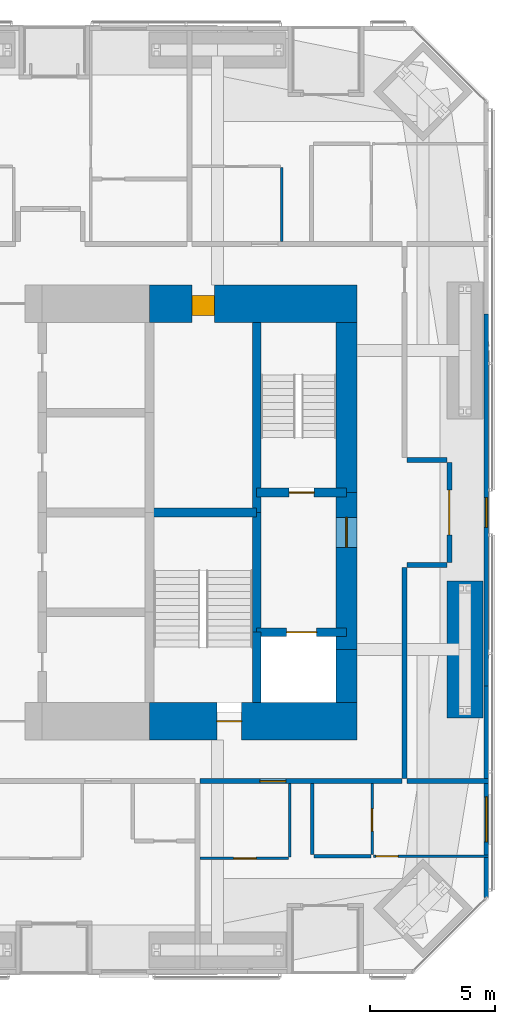
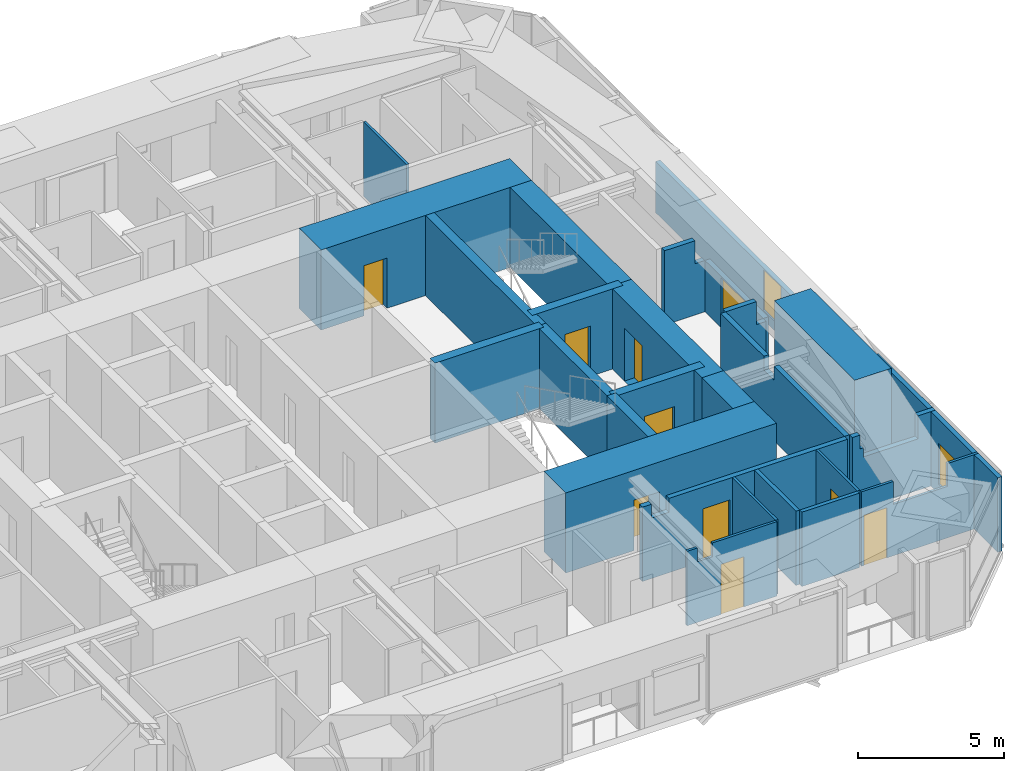
# One storey, part 20 of 23: 27 walls, 10 doors, 2 windows, 12 openings.
"""IFC4 building model written with IfcOpenShell, lengths in metres."""

from ifc_helpers import new_model, si_unit, direction, frame, frame_2d, origin, place, context, subcontext, project, spatial, polyline, rectangle, outline, extrude, material, layer, layer_set, constituent, constituent_set, type_object, element, fill, save


model = new_model("IFC4")

# Units and contexts
model_context = context("Model", 3, precision=1e-05, world=origin(), true_north=direction((0.0, 1.0)))
body_context = subcontext(model_context, "Body", "Model", "MODEL_VIEW")
ifc_project = project(units=[si_unit("LENGTHUNIT", "METRE"), si_unit("AREAUNIT", "SQUARE_METRE"), si_unit("VOLUMEUNIT", "CUBIC_METRE"), si_unit("PLANEANGLEUNIT", "RADIAN"), si_unit("MASSUNIT", "GRAM", prefix="KILO")], contexts=[model_context])

# Site, building, storey
site_placement = place(None, origin())
site = spatial("IfcSite", under=ifc_project, at=site_placement, CompositionType="ELEMENT")
building_placement = place(site_placement, origin())
building = spatial("IfcBuilding", under=site, at=building_placement, Name="Jalousie Tower", CompositionType="ELEMENT")
storey_placement = place(building_placement, frame((0.0, 0.0, 84.75)))
storey = spatial("IfcBuildingStorey", under=building, at=storey_placement, Name="L22", CompositionType="ELEMENT", Elevation=84.75)

# Walls
ifc_material_1 = material(Name="Concrete block ASTM C90", Category="concrete")
ifc_constituent_1 = constituent(ifc_material_1, Name="Body")
ifc_material_2 = material(Name="Render")
ifc_constituent_2 = constituent(ifc_material_2, Name="Finish")
ifc_constituent_set_1 = constituent_set(constituents=[ifc_constituent_1, ifc_constituent_2])
wall_type_1 = type_object("IfcWallType", Name="BATHROOM WALL 150", PredefinedType="PLUMBINGWALL", material=ifc_constituent_set_1)
wall_1_placement = place(storey_placement, frame((42.5, 4.711181640625, 0.0), z_axis=(0.0, 0.0, 1.0), x_axis=(1.0, 0.0, 0.0)))
element("IfcWall", 1, at=wall_1_placement, inside=storey, type_object=wall_type_1, Name="Bathroom Wall 150 L22", PredefinedType="PLUMBINGWALL", context=body_context, shape_type="SweptSolid", body=[
    extrude(rectangle(XDim=2.27490234375, YDim=0.14990234375, at=frame_2d((1.137451171875, 0.0))), origin(), (0.0, 0.0, 1.0), 3.110107421875),
])
wall_2_placement = place(storey_placement, frame((42.425048828125, 4.786376953125, 0.0), z_axis=(0.0, 0.0, 1.0), x_axis=(0.0, 1.0, 0.0)))
element("IfcWall", 2, at=wall_2_placement, inside=storey, type_object=wall_type_1, Name="Bathroom Wall 150 L22", PredefinedType="PLUMBINGWALL", context=body_context, shape_type="SweptSolid", body=[
    extrude(rectangle(XDim=2.838623046875, YDim=0.14990234375, at=frame_2d((1.41943359375, 0.0))), origin(), (0.0, 0.0, 1.0), 3.110107421875),
])

# Wall, opening, door
ifc_material_3 = material(Name="Concrete f'c 120 MPa", Category="concrete")
ifc_layer_1 = layer(ifc_material_3, 1.5)
ifc_layer_set_1 = layer_set([ifc_layer_1], Name="Concrete f'c 120 MPa")
wall_type_2 = type_object("IfcWallType", Name="CORE WALL 1500", PredefinedType="SHEAR", material=ifc_layer_set_1)
wall_3_placement = place(storey_placement, frame((35.89990234375, 10.125, 0.0), z_axis=(0.0, 0.0, 1.0), x_axis=(1.0, 0.0, 0.0)))
wall_3 = element("IfcWall", 3, at=wall_3_placement, inside=storey, type_object=wall_type_2, Name="Core wall SD L22", PredefinedType="SHEAR", context=body_context, shape_type="SweptSolid", body=[
    extrude(rectangle(XDim=8.3251953125, YDim=1.5, at=frame_2d((4.16259765625, 0.0))), origin(), (0.0, 0.0, 1.0), 3.35009765625),
])
opening_1_placement = place(wall_3_placement, frame((2.699951171875, 0.0, 0.0)))
opening_1 = element("IfcOpeningElement", 4, at=opening_1_placement, cuts=wall_3, Name="Opening D10", PredefinedType="OPENING", context=body_context, shape_type="SweptSolid", body=[
    extrude(rectangle(XDim=1.0, YDim=2.10009765625, at=frame_2d((0.5, 1.050048828125))), frame((0.0, 0.760009765625, 0.0), z_axis=(0.0, -1.0, 0.0), x_axis=(1.0, 0.0, 0.0)), (0.0, 0.0, 1.0), 1.52001953125),
])
ifc_material_4 = material(Name="Steel fire door", Category="steel")
door_type_1 = type_object("IfcDoorType", Name="STAIR DOOR 1000", OperationType="SINGLE_SWING_LEFT", PredefinedType="DOOR", material=ifc_material_4)
door_1_placement = place(opening_1_placement, origin())
door_1 = element("IfcDoor", 5, at=door_1_placement, inside=storey, type_object=door_type_1, Name="Exit stair C door", OperationType="SINGLE_SWING_RIGHT", OverallHeight=2.10009765625, OverallWidth=1.0, PredefinedType="DOOR", context=body_context, shape_type="SweptSolid", body=[
    extrude(rectangle(XDim=1.0, YDim=2.10009765625, at=frame_2d((0.5, 1.050048828125))), frame((0.0, 0.02490234375, 0.0), z_axis=(0.0, -1.0, 0.0), x_axis=(1.0, 0.0, 0.0)), (0.0, 0.0, 1.0), 0.050048828125),
])
fill(opening_1, door_1)

wall_4_placement = place(storey_placement, frame((44.22509765625, 26.875, 0.0), z_axis=(0.0, 0.0, 1.0), x_axis=(-1.0, 0.0, 0.0)))
wall_4 = element("IfcWall", 6, at=wall_4_placement, inside=storey, type_object=wall_type_2, Name="Core wall NA L22", PredefinedType="SHEAR", context=body_context, shape_type="SweptSolid", body=[
    extrude(rectangle(XDim=8.3251953125, YDim=1.5, at=frame_2d((4.16259765625, 0.0))), origin(), (0.0, 0.0, 1.0), 3.35009765625),
])
opening_2_placement = place(wall_4_placement, frame((5.72509765625, 0.0, 0.0)))
opening_2 = element("IfcOpeningElement", 7, at=opening_2_placement, cuts=wall_4, Name="Opening D18", PredefinedType="OPENING", context=body_context, shape_type="SweptSolid", body=[
    extrude(rectangle(XDim=0.89990234375, YDim=2.10009765625, at=frame_2d((0.449951171875, 1.050048828125))), frame((0.0, 0.760009765625, 0.0), z_axis=(0.0, -1.0, 0.0), x_axis=(1.0, 0.0, 0.0)), (0.0, 0.0, 1.0), 1.52001953125),
])
ifc_material_5 = material(Name="Steel fire door", Category="steel")
door_type_2 = type_object("IfcDoorType", Name="CLEANER'S STORE DOOR 900", OperationType="SINGLE_SWING_LEFT", PredefinedType="DOOR", material=ifc_material_5)
door_2_placement = place(opening_2_placement, origin())
door_2 = element("IfcDoor", 8, at=door_2_placement, inside=storey, type_object=door_type_2, Name="Cleaner's store door", OperationType="SINGLE_SWING_LEFT", OverallHeight=2.10009765625, OverallWidth=0.89990234375, PredefinedType="DOOR", context=body_context, shape_type="SweptSolid", body=[
    extrude(rectangle(XDim=0.89990234375, YDim=2.10009765625, at=frame_2d((0.449951171875, 1.050048828125))), frame((0.0, 0.47021484375, 0.0), z_axis=(0.0, -1.0, 0.0), x_axis=(1.0, 0.0, 0.0)), (0.0, 0.0, 1.0), 0.800048828125),
])
fill(opening_2, door_2)

# Walls
ifc_material_6 = material(Name="Concrete f'c 120 MPa", Category="concrete")
ifc_layer_2 = layer(ifc_material_6, 0.35009765625)
ifc_layer_set_2 = layer_set([ifc_layer_2], Name="Concrete f'c 120 MPa")
wall_type_3 = type_object("IfcWallType", Name="CORE WALL 350", PredefinedType="SHEAR", material=ifc_layer_set_2)
wall_5_placement = place(storey_placement, frame((40.199951171875, 10.875, 0.0), z_axis=(0.0, 0.0, 1.0), x_axis=(0.0, 1.0, 0.0)))
element("IfcWall", 9, at=wall_5_placement, inside=storey, type_object=wall_type_3, Name="Core wall X40.2A L22", PredefinedType="SHEAR", context=body_context, shape_type="SweptSolid", body=[
    extrude(rectangle(XDim=2.824951171875, YDim=0.35009765625, at=frame_2d((1.41259765625, 0.0))), origin(), (0.0, 0.0, 1.0), 3.35009765625),
])
wall_6_placement = place(storey_placement, frame((40.199951171875, 13.699951171875, 0.0), z_axis=(0.0, 0.0, 1.0), x_axis=(0.0, 1.0, 0.0)))
element("IfcWall", 10, at=wall_6_placement, inside=storey, type_object=wall_type_3, Name="Core wall X40.2B L22", PredefinedType="SHEAR", context=body_context, shape_type="SweptSolid", body=[
    extrude(rectangle(XDim=4.800048828125, YDim=0.35009765625, at=frame_2d((2.39990234375, 0.0))), origin(), (0.0, 0.0, 1.0), 3.35009765625),
])
wall_7_placement = place(storey_placement, frame((40.199951171875, 18.5, 0.0), z_axis=(0.0, 0.0, 1.0), x_axis=(0.0, 1.0, 0.0)))
element("IfcWall", 11, at=wall_7_placement, inside=storey, type_object=wall_type_3, Name="Core wall X40.2C L22", PredefinedType="SHEAR", context=body_context, shape_type="SweptSolid", body=[
    extrude(rectangle(XDim=7.625, YDim=0.35009765625, at=frame_2d((3.8125, 0.0))), origin(), (0.0, 0.0, 1.0), 3.35009765625),
])
wall_8_placement = place(storey_placement, frame((35.89990234375, 18.5, 0.0), z_axis=(0.0, 0.0, 1.0), x_axis=(1.0, 0.0, 0.0)))
element("IfcWall", 12, at=wall_8_placement, inside=storey, type_object=wall_type_3, Name="Core wall Y35.9-18.5 L22", PredefinedType="SHEAR", context=body_context, shape_type="SweptSolid", body=[
    extrude(rectangle(XDim=4.300048828125, YDim=0.35009765625, at=frame_2d((2.14990234375, 0.0))), origin(), (0.0, 0.0, 1.0), 3.35009765625),
])

# Wall, opening, door
wall_9_placement = place(storey_placement, frame((40.199951171875, 13.699951171875, 0.0), z_axis=(0.0, 0.0, 1.0), x_axis=(1.0, 0.0, 0.0)))
wall_9 = element("IfcWall", 13, at=wall_9_placement, inside=storey, type_object=wall_type_3, Name="Core wall Y40.2-13.7 L22", PredefinedType="SHEAR", context=body_context, shape_type="SweptSolid", body=[
    extrude(rectangle(XDim=3.60009765625, YDim=0.35009765625, at=frame_2d((1.800048828125, 0.0))), origin(), (0.0, 0.0, 1.0), 3.35009765625),
])
opening_3_placement = place(wall_9_placement, frame((1.199951171875, 0.0, 0.0)))
opening_3 = element("IfcOpeningElement", 14, at=opening_3_placement, cuts=wall_9, Name="Opening LD2", PredefinedType="OPENING", context=body_context, shape_type="SweptSolid", body=[
    extrude(rectangle(XDim=1.199951171875, YDim=2.10009765625, at=frame_2d((0.60009765625, 1.050048828125))), frame((0.0, 0.18505859375, 0.0), z_axis=(0.0, -1.0, 0.0), x_axis=(1.0, 0.0, 0.0)), (0.0, 0.0, 1.0), 0.3701171875),
])
ifc_material_7 = material(Name="Steel lift landing door", Category="steel")
door_type_3 = type_object("IfcDoorType", Name="LIFT LANDING DOOR 1200", OperationType="SLIDING_TO_LEFT", PredefinedType="DOOR", material=ifc_material_7)
door_3_placement = place(opening_3_placement, origin())
door_3 = element("IfcDoor", 15, at=door_3_placement, inside=storey, type_object=door_type_3, Name="Lift F2 landing door", OperationType="SLIDING_TO_LEFT", OverallHeight=2.10009765625, OverallWidth=1.199951171875, PredefinedType="DOOR", context=body_context, shape_type="SweptSolid", body=[
    extrude(rectangle(XDim=1.199951171875, YDim=2.10009765625, at=frame_2d((0.60009765625, 1.050048828125))), frame((0.0, 0.02490234375, 0.0), z_axis=(0.0, -1.0, 0.0), x_axis=(1.0, 0.0, 0.0)), (0.0, 0.0, 1.0), 0.050048828125),
])
fill(opening_3, door_3)

wall_10_placement = place(storey_placement, frame((40.199951171875, 19.300048828125, 0.0), z_axis=(0.0, 0.0, 1.0), x_axis=(1.0, 0.0, 0.0)))
wall_10 = element("IfcWall", 16, at=wall_10_placement, inside=storey, type_object=wall_type_3, Name="Core wall Y40.2-19.3 L22", PredefinedType="SHEAR", context=body_context, shape_type="SweptSolid", body=[
    extrude(rectangle(XDim=3.60009765625, YDim=0.35009765625, at=frame_2d((1.800048828125, 0.0))), origin(), (0.0, 0.0, 1.0), 3.35009765625),
])
opening_4_placement = place(wall_10_placement, frame((1.300048828125, 0.0, 0.0)))
opening_4 = element("IfcOpeningElement", 17, at=opening_4_placement, cuts=wall_10, Name="Opening D10", PredefinedType="OPENING", context=body_context, shape_type="SweptSolid", body=[
    extrude(rectangle(XDim=1.0, YDim=2.10009765625, at=frame_2d((0.5, 1.050048828125))), frame((0.0, 0.18505859375, 0.0), z_axis=(0.0, -1.0, 0.0), x_axis=(1.0, 0.0, 0.0)), (0.0, 0.0, 1.0), 0.3701171875),
])
door_4_placement = place(opening_4_placement, origin())
door_4 = element("IfcDoor", 18, at=door_4_placement, inside=storey, type_object=door_type_1, Name="Exit stair B door", OperationType="SINGLE_SWING_RIGHT", OverallHeight=2.10009765625, OverallWidth=1.0, PredefinedType="DOOR", context=body_context, shape_type="SweptSolid", body=[
    extrude(rectangle(XDim=1.0, YDim=2.10009765625, at=frame_2d((0.5, 1.050048828125))), frame((0.0, 0.02490234375, 0.0), z_axis=(0.0, -1.0, 0.0), x_axis=(1.0, 0.0, 0.0)), (0.0, 0.0, 1.0), 0.050048828125),
])
fill(opening_4, door_4)

# Wall
ifc_material_8 = material(Name="Concrete f'c 120 MPa", Category="concrete")
ifc_layer_3 = layer(ifc_material_8, 0.85009765625)
ifc_layer_set_3 = layer_set([ifc_layer_3], Name="Concrete f'c 120 MPa")
wall_type_4 = type_object("IfcWallType", Name="CORE WALL 850", PredefinedType="SHEAR", material=ifc_layer_set_3)
wall_11_placement = place(storey_placement, frame((43.800048828125, 10.875, 0.0), z_axis=(0.0, 0.0, 1.0), x_axis=(0.0, 1.0, 0.0)))
element("IfcWall", 19, at=wall_11_placement, inside=storey, type_object=wall_type_4, Name="Core wall EA L22", PredefinedType="SHEAR", context=body_context, shape_type="SweptSolid", body=[
    extrude(rectangle(XDim=2.125, YDim=0.85009765625, at=frame_2d((1.0625, 0.0))), origin(), (0.0, 0.0, 1.0), 3.35009765625),
])

# Wall, opening, door
wall_12_placement = place(storey_placement, frame((43.800048828125, 13.0, 0.0), z_axis=(0.0, 0.0, 1.0), x_axis=(0.0, 1.0, 0.0)))
wall_12 = element("IfcWall", 20, at=wall_12_placement, inside=storey, type_object=wall_type_4, Name="Core wall EB L22", PredefinedType="SHEAR", context=body_context, shape_type="SweptSolid", body=[
    extrude(rectangle(XDim=6.300048828125, YDim=0.85009765625, at=frame_2d((3.14990234375, 0.0))), origin(), (0.0, 0.0, 1.0), 3.35009765625),
])
opening_5_placement = place(wall_12_placement, frame((4.10009765625, 0.0, 0.0)))
opening_5 = element("IfcOpeningElement", 21, at=opening_5_placement, cuts=wall_12, Name="Opening D11", PredefinedType="OPENING", context=body_context, shape_type="SweptSolid", body=[
    extrude(rectangle(XDim=1.199951171875, YDim=2.199951171875, at=frame_2d((0.60009765625, 1.10009765625))), frame((0.0, 0.43505859375, 0.0), z_axis=(0.0, -1.0, 0.0), x_axis=(1.0, 0.0, 0.0)), (0.0, 0.0, 1.0), 0.8701171875),
])
ifc_material_9 = material(Name="Steel fire door", Category="steel")
door_type_4 = type_object("IfcDoorType", Name="FIRE DOOR 1200", OperationType="SINGLE_SWING_LEFT", PredefinedType="DOOR", material=ifc_material_9)
door_5_placement = place(opening_5_placement, origin())
door_5 = element("IfcDoor", 22, at=door_5_placement, inside=storey, type_object=door_type_4, Name="Fire-fighting lobby B door", OperationType="SINGLE_SWING_RIGHT", OverallHeight=2.199951171875, OverallWidth=1.199951171875, PredefinedType="DOOR", context=body_context, shape_type="SweptSolid", body=[
    extrude(rectangle(XDim=1.199951171875, YDim=2.199951171875, at=frame_2d((0.60009765625, 1.10009765625))), frame((0.0, 0.02490234375, 0.0), z_axis=(0.0, -1.0, 0.0), x_axis=(1.0, 0.0, 0.0)), (0.0, 0.0, 1.0), 0.050048828125),
])
fill(opening_5, door_5)

# Wall
wall_13_placement = place(storey_placement, frame((43.800048828125, 19.300048828125, 0.0), z_axis=(0.0, 0.0, 1.0), x_axis=(0.0, 1.0, 0.0)))
element("IfcWall", 23, at=wall_13_placement, inside=storey, type_object=wall_type_4, Name="Core wall EC L22", PredefinedType="SHEAR", context=body_context, shape_type="SweptSolid", body=[
    extrude(rectangle(XDim=6.824951171875, YDim=0.85009765625, at=frame_2d((3.41259765625, 0.0))), origin(), (0.0, 0.0, 1.0), 3.35009765625),
])

# Wall, opening, door
ifc_material_10 = material(Name="Concrete block ASTM C90", Category="concrete")
ifc_constituent_3 = constituent(ifc_material_10, Name="Body")
ifc_material_11 = material(Name="Render")
ifc_constituent_4 = constituent(ifc_material_11, Name="Finish")
ifc_constituent_set_2 = constituent_set(constituents=[ifc_constituent_3, ifc_constituent_4])
wall_type_5 = type_object("IfcWallType", Name="CORRIDOR WALL 200", PredefinedType="PARTITIONING", material=ifc_constituent_set_2)
wall_14_placement = place(storey_placement, frame((37.925048828125, 7.72509765625, 0.0), z_axis=(0.0, 0.0, 1.0), x_axis=(1.0, 0.0, 0.0)))
wall_14 = element("IfcWall", 24, at=wall_14_placement, inside=storey, type_object=wall_type_5, Name="Corridor Wall 200 L22", PredefinedType="PARTITIONING", context=body_context, shape_type="SweptSolid", body=[
    extrude(outline(polyline([(0.0, 0.0), (8.099853515625, 0.0), (8.10009765625, 3.110107421875), (1.046142578125, 3.110107421875), (1.046142578125, 2.531005859375), (0.353759765625, 2.531005859375), (0.353759765625, 3.110107421875), (0.0, 3.110107421875), (0.0, 0.0)])), frame((0.0, 0.10009765625, 0.0), z_axis=(0.0, -1.0, 0.0), x_axis=(1.0, 0.0, 0.0)), (0.0, 0.0, 1.0), 0.199951171875),
])
opening_6_placement = place(wall_14_placement, frame((2.39990234375, 0.0, 0.0)))
opening_6 = element("IfcOpeningElement", 25, at=opening_6_placement, cuts=wall_14, Name="Opening D1", PredefinedType="OPENING", context=body_context, shape_type="SweptSolid", body=[
    extrude(rectangle(XDim=1.050048828125, YDim=2.199951171875, at=frame_2d((0.52490234375, 1.10009765625))), frame((0.0, 0.10986328125, 0.0), z_axis=(0.0, -1.0, 0.0), x_axis=(1.0, 0.0, 0.0)), (0.0, 0.0, 1.0), 0.219970703125),
])
ifc_material_12 = material(Name="Timber fire door", Category="wood")
door_type_5 = type_object("IfcDoorType", Name="APARTMENT ENTRANCE DOOR 1050", OperationType="SINGLE_SWING_LEFT", PredefinedType="DOOR", material=ifc_material_12)
door_6_placement = place(opening_6_placement, frame((1.050048828125, 0.0, 0.0), z_axis=(0.0, 0.0, 1.0), x_axis=(-1.0, 0.0, 0.0)))
door_6 = element("IfcDoor", 26, at=door_6_placement, inside=storey, type_object=door_type_5, Name="Apartment 2203 entrance", OperationType="SINGLE_SWING_LEFT", OverallHeight=2.199951171875, OverallWidth=1.050048828125, PredefinedType="DOOR", context=body_context, shape_type="SweptSolid", body=[
    extrude(rectangle(XDim=1.050048828125, YDim=2.199951171875, at=frame_2d((0.52490234375, 1.10009765625))), frame((0.0, 0.02490234375, 0.0), z_axis=(0.0, -1.0, 0.0), x_axis=(1.0, 0.0, 0.0)), (0.0, 0.0, 1.0), 0.050048828125),
])
fill(opening_6, door_6)

# Wall
wall_15_placement = place(storey_placement, frame((46.125, 7.824951171875, 0.0), z_axis=(0.0, 0.0, 1.0), x_axis=(0.0, 1.0, 0.0)))
element("IfcWall", 27, at=wall_15_placement, inside=storey, type_object=wall_type_5, Name="Corridor Wall 200 L22", PredefinedType="PARTITIONING", context=body_context, shape_type="SweptSolid", body=[
    extrude(outline(polyline([(0.0, 0.0), (8.47509765625, 0.0), (8.47509765625, 3.110107421875), (5.521240234375, 3.110107421875), (5.521240234375, 2.531005859375), (4.828857421875, 2.531005859375), (4.828857421875, 3.110107421875), (0.0, 3.110107421875), (0.0, 0.0)])), frame((0.0, 0.10009765625, 0.0), z_axis=(0.0, -1.0, 0.0), x_axis=(1.0, 0.0, 0.0)), (0.0, 0.0, 1.0), 0.199951171875),
])

# Wall, opening, door
wall_16_placement = place(storey_placement, frame((47.925048828125, 16.5, 0.0), z_axis=(0.0, 0.0, 1.0), x_axis=(0.0, 1.0, 0.0)))
wall_16 = element("IfcWall", 28, at=wall_16_placement, inside=storey, type_object=wall_type_5, Name="Corridor Wall 200 L22", PredefinedType="PARTITIONING", context=body_context, shape_type="SweptSolid", body=[
    extrude(outline(polyline([(0.0, 0.0), (4.0, 0.0), (4.0, 3.110107421875), (4.0, 2.14990234375), (0.0, 2.14990234375), (0.0, 3.110107421875), (0.0, 0.0)])), frame((0.0, 0.10009765625, 0.0), z_axis=(0.0, -1.0, 0.0), x_axis=(1.0, 0.0, 0.0)), (0.0, 0.0, 1.0), 0.199951171875),
])
opening_7_placement = place(wall_16_placement, frame((1.10009765625, 0.0, 0.0)))
opening_7 = element("IfcOpeningElement", 29, at=opening_7_placement, cuts=wall_16, Name="Opening D22", PredefinedType="OPENING", context=body_context, shape_type="SweptSolid", body=[
    extrude(rectangle(XDim=1.800048828125, YDim=2.10009765625, at=frame_2d((0.89990234375, 1.050048828125))), frame((0.0, 0.10986328125, 0.0), z_axis=(0.0, -1.0, 0.0), x_axis=(1.0, 0.0, 0.0)), (0.0, 0.0, 1.0), 0.219970703125),
])
ifc_material_13 = material(Name="Timber fire door", Category="wood")
door_type_6 = type_object("IfcDoorType", Name="CORRIDOR DOUBLE DOOR 1800", OperationType="DOUBLE_DOOR_SINGLE_SWING", PredefinedType="DOOR", material=ifc_material_13)
door_7_placement = place(opening_7_placement, frame((1.800048828125, 0.0, 0.0), z_axis=(0.0, 0.0, 1.0), x_axis=(-1.0, 0.0, 0.0)))
door_7 = element("IfcDoor", 30, at=door_7_placement, inside=storey, type_object=door_type_6, Name="Lounge door", OperationType="DOUBLE_DOOR_SINGLE_SWING", OverallHeight=2.10009765625, OverallWidth=1.800048828125, PredefinedType="DOOR", context=body_context, shape_type="SweptSolid", body=[
    extrude(rectangle(XDim=1.800048828125, YDim=2.10009765625, at=frame_2d((0.89990234375, 1.050048828125))), frame((0.0, 0.02490234375, 0.0), z_axis=(0.0, -1.0, 0.0), x_axis=(1.0, 0.0, 0.0)), (0.0, 0.0, 1.0), 0.050048828125),
])
fill(opening_7, door_7)

# Walls
for number, where, z_axis, x_axis, name in (
    (31, (46.22509765625, 16.39990234375, 0.0), (0.0, 0.0, 1.0), (1.0, 0.0, 0.0), "Corridor Wall 200 L22"),
    (32, (46.22509765625, 20.60009765625, 0.0), (0.0, 0.0, 1.0), (1.0, 0.0, 0.0), "Corridor Wall 200 L22"),
):
    element("IfcWall", number, at=place(storey_placement, frame(where, z_axis=z_axis, x_axis=x_axis)), inside=storey, type_object=wall_type_5, Name=name, PredefinedType="PARTITIONING", context=body_context, shape_type="SweptSolid", body=[
        extrude(outline(polyline([(0.0, 0.0), (1.599853515625, 0.0), (1.60009765625, 3.110107421875), (1.60009765625, 2.14990234375), (1.215087890625, 2.14990234375), (1.215087890625, 3.110107421875), (0.0, 3.110107421875), (0.0, 0.0)])), frame((0.0, 0.10009765625, 0.0), z_axis=(0.0, -1.0, 0.0), x_axis=(1.0, 0.0, 0.0)), (0.0, 0.0, 1.0), 0.199951171875),
    ])

# Wall, opening, window
ifc_material_14 = material(Name="Concrete f'c 40 MPa", Category="concrete")
ifc_constituent_5 = constituent(ifc_material_14, Name="Body")
ifc_material_15 = material(Name="Render, pastel sea green")
ifc_constituent_6 = constituent(ifc_material_15, Name="Finish")
ifc_constituent_set_3 = constituent_set(constituents=[ifc_constituent_5, ifc_constituent_6])
wall_type_6 = type_object("IfcWallType", Name="EXTERNAL WALL 175 SEA GREEN RENDER", PredefinedType="SOLIDWALL", material=ifc_constituent_set_3)
wall_17_placement = place(storey_placement, frame((49.41259765625, 3.05126953125, 0.0), z_axis=(0.0, 0.0, 1.0), x_axis=(0.0, 1.0, 0.0)))
wall_17 = element("IfcWall", 33, at=wall_17_placement, inside=storey, type_object=wall_type_6, Name="External Wall 175 Sea Green Render L22-A", PredefinedType="SOLIDWALL", context=body_context, shape_type="SweptSolid", body=[
    extrude(rectangle(XDim=8.480712890625, YDim=0.175048828125, at=frame_2d((4.240234375, 0.0))), origin(), (0.0, 0.0, 1.0), 3.110107421875),
])
opening_8_placement = place(wall_17_placement, frame((2.241943359375, 0.0, 0.39990234375)))
opening_8 = element("IfcOpeningElement", 34, at=opening_8_placement, cuts=wall_17, Name="Opening W-BED170", PredefinedType="OPENING", context=body_context, shape_type="SweptSolid", body=[
    extrude(rectangle(XDim=1.800048828125, YDim=1.699951171875, at=frame_2d((0.89990234375, 0.85009765625))), frame((0.0, 0.097412109375, 0.0), z_axis=(0.0, -1.0, 0.0), x_axis=(1.0, 0.0, 0.0)), (0.0, 0.0, 1.0), 0.195068359375),
])
ifc_material_16 = material(Name="Aluminium frame, impact-rated glazing", Category="aluminium")
window_type_1 = type_object("IfcWindowType", Name="WINDOW BED 1800x1700", PartitioningType="SINGLE_PANEL", PredefinedType="WINDOW", material=ifc_material_16)
window_1_placement = place(opening_8_placement, origin())
window_1 = element("IfcWindow", 35, at=window_1_placement, inside=storey, type_object=window_type_1, Name="Apartment 2203 bedroom 1 window", OverallHeight=1.699951171875, OverallWidth=1.800048828125, PartitioningType="SINGLE_PANEL", PredefinedType="WINDOW", context=body_context, shape_type="SweptSolid", body=[
    extrude(rectangle(XDim=1.800048828125, YDim=1.699951171875, at=frame_2d((0.89990234375, 0.85009765625))), frame((0.0, 0.030029296875, 0.0), z_axis=(0.0, -1.0, 0.0), x_axis=(1.0, 0.0, 0.0)), (0.0, 0.0, 1.0), 0.06005859375),
])
fill(opening_8, window_1)

wall_18_placement = place(storey_placement, frame((49.41259765625, 11.531982421875, 0.0), z_axis=(0.0, 0.0, 1.0), x_axis=(0.0, 1.0, 0.0)))
wall_18 = element("IfcWall", 36, at=wall_18_placement, inside=storey, type_object=wall_type_6, Name="External Wall 175 Sea Green Render L22-B", PredefinedType="SOLIDWALL", context=body_context, shape_type="SweptSolid", body=[
    extrude(rectangle(XDim=14.93603515625, YDim=0.175048828125, at=frame_2d((7.468017578125, 0.0))), origin(), (0.0, 0.0, 1.0), 2.14990234375),
])
opening_9_placement = place(wall_18_placement, frame((6.3681640625, 0.0, 0.39990234375)))
opening_9 = element("IfcOpeningElement", 37, at=opening_9_placement, cuts=wall_18, Name="Opening W-COR170", PredefinedType="OPENING", context=body_context, shape_type="SweptSolid", body=[
    extrude(rectangle(XDim=1.199951171875, YDim=1.699951171875, at=frame_2d((0.60009765625, 0.85009765625))), frame((0.0, 0.097412109375, 0.0), z_axis=(0.0, -1.0, 0.0), x_axis=(1.0, 0.0, 0.0)), (0.0, 0.0, 1.0), 0.195068359375),
])
ifc_material_17 = material(Name="Aluminium frame, impact-rated glazing", Category="aluminium")
window_type_2 = type_object("IfcWindowType", Name="WINDOW COR 1200x1700", PartitioningType="SINGLE_PANEL", PredefinedType="WINDOW", material=ifc_material_17)
window_2_placement = place(opening_9_placement, origin())
window_2 = element("IfcWindow", 38, at=window_2_placement, inside=storey, type_object=window_type_2, Name="Residents' lounge window", OverallHeight=1.699951171875, OverallWidth=1.199951171875, PartitioningType="SINGLE_PANEL", PredefinedType="WINDOW", context=body_context, shape_type="SweptSolid", body=[
    extrude(rectangle(XDim=1.199951171875, YDim=1.699951171875, at=frame_2d((0.60009765625, 0.85009765625))), frame((0.0, 0.030029296875, 0.0), z_axis=(0.0, -1.0, 0.0), x_axis=(1.0, 0.0, 0.0)), (0.0, 0.0, 1.0), 0.06005859375),
])
fill(opening_9, window_2)

# Wall, opening, door
ifc_material_18 = material(Name="Gypsum board", Category="gypsum")
ifc_constituent_7 = constituent(ifc_material_18, Name="Body")
ifc_material_19 = material(Name="Light-gauge steel studs ASTM A653 SS Grade 33", Category="steel")
ifc_constituent_8 = constituent(ifc_material_19, Name="Framing")
ifc_constituent_set_4 = constituent_set(constituents=[ifc_constituent_7, ifc_constituent_8])
wall_type_7 = type_object("IfcWallType", Name="PARTITION 100", PredefinedType="PARTITIONING", material=ifc_constituent_set_4)
wall_19_placement = place(storey_placement, frame((44.824951171875, 4.786376953125, 0.0), z_axis=(0.0, 0.0, 1.0), x_axis=(0.0, 1.0, 0.0)))
wall_19 = element("IfcWall", 39, at=wall_19_placement, inside=storey, type_object=wall_type_7, Name="Partition 100 L22", PredefinedType="PARTITIONING", context=body_context, shape_type="SweptSolid", body=[
    extrude(rectangle(XDim=2.838623046875, YDim=0.10009765625, at=frame_2d((1.41943359375, 0.0))), origin(), (0.0, 0.0, 1.0), 3.110107421875),
])
opening_10_placement = place(wall_19_placement, frame((0.931884765625, 0.0, 0.0)))
opening_10 = element("IfcOpeningElement", 40, at=opening_10_placement, cuts=wall_19, Name="Opening D3", PredefinedType="OPENING", context=body_context, shape_type="SweptSolid", body=[
    extrude(rectangle(XDim=0.89990234375, YDim=2.10009765625, at=frame_2d((0.449951171875, 1.050048828125))), frame((0.0, 0.06005859375, 0.0), z_axis=(0.0, -1.0, 0.0), x_axis=(1.0, 0.0, 0.0)), (0.0, 0.0, 1.0), 0.1201171875),
])
ifc_material_20 = material(Name="Timber door", Category="wood")
door_type_7 = type_object("IfcDoorType", Name="BATHROOM DOOR 900", OperationType="SINGLE_SWING_LEFT", PredefinedType="DOOR", material=ifc_material_20)
door_8_placement = place(opening_10_placement, origin())
door_8 = element("IfcDoor", 41, at=door_8_placement, inside=storey, type_object=door_type_7, Name="Apartment 2203 bedroom 1 bathroom door", OperationType="SINGLE_SWING_LEFT", OverallHeight=2.10009765625, OverallWidth=0.89990234375, PredefinedType="DOOR", context=body_context, shape_type="SweptSolid", body=[
    extrude(rectangle(XDim=0.89990234375, YDim=2.10009765625, at=frame_2d((0.449951171875, 1.050048828125))), frame((0.0, 0.02490234375, 0.0), z_axis=(0.0, -1.0, 0.0), x_axis=(1.0, 0.0, 0.0)), (0.0, 0.0, 1.0), 0.050048828125),
])
fill(opening_10, door_8)

wall_20_placement = place(storey_placement, frame((44.875, 4.711181640625, 0.0), z_axis=(0.0, 0.0, 1.0), x_axis=(1.0, 0.0, 0.0)))
wall_20 = element("IfcWall", 42, at=wall_20_placement, inside=storey, type_object=wall_type_7, Name="Partition 100 L22", PredefinedType="PARTITIONING", context=body_context, shape_type="SweptSolid", body=[
    extrude(outline(polyline([(0.0, 0.0), (4.625, 0.0), (4.625, 3.110107421875), (3.40478515625, 3.110107421875), (3.40478515625, 2.14990234375), (1.257080078125, 2.14990234375), (1.257080078125, 3.110107421875), (0.0, 3.110107421875), (0.0, 0.0)])), frame((0.0, 0.050048828125, 0.0), z_axis=(0.0, -1.0, 0.0), x_axis=(1.0, 0.0, 0.0)), (0.0, 0.0, 1.0), 0.10009765625),
])
opening_11_placement = place(wall_20_placement, frame((0.10009765625, 0.0, 0.0)))
opening_11 = element("IfcOpeningElement", 43, at=opening_11_placement, cuts=wall_20, Name="Opening D2", PredefinedType="OPENING", context=body_context, shape_type="SweptSolid", body=[
    extrude(rectangle(XDim=0.89990234375, YDim=2.10009765625, at=frame_2d((0.449951171875, 1.050048828125))), frame((0.0, 0.06005859375, 0.0), z_axis=(0.0, -1.0, 0.0), x_axis=(1.0, 0.0, 0.0)), (0.0, 0.0, 1.0), 0.1201171875),
])
ifc_material_21 = material(Name="Timber door", Category="wood")
door_type_8 = type_object("IfcDoorType", Name="BEDROOM DOOR 900", OperationType="SINGLE_SWING_LEFT", PredefinedType="DOOR", material=ifc_material_21)
door_9_placement = place(opening_11_placement, origin())
door_9 = element("IfcDoor", 44, at=door_9_placement, inside=storey, type_object=door_type_8, Name="Apartment 2203 bedroom 1 door", OperationType="SINGLE_SWING_LEFT", OverallHeight=2.10009765625, OverallWidth=0.89990234375, PredefinedType="DOOR", context=body_context, shape_type="SweptSolid", body=[
    extrude(rectangle(XDim=0.89990234375, YDim=2.10009765625, at=frame_2d((0.449951171875, 1.050048828125))), frame((0.0, 0.02490234375, 0.0), z_axis=(0.0, -1.0, 0.0), x_axis=(1.0, 0.0, 0.0)), (0.0, 0.0, 1.0), 0.050048828125),
])
fill(opening_11, door_9)

wall_21_placement = place(storey_placement, frame((37.925048828125, 4.625, 0.0), z_axis=(0.0, 0.0, 1.0), x_axis=(1.0, 0.0, 0.0)))
wall_21 = element("IfcWall", 45, at=wall_21_placement, inside=storey, type_object=wall_type_7, Name="Partition 100 L22", PredefinedType="PARTITIONING", context=body_context, shape_type="SweptSolid", body=[
    extrude(outline(polyline([(0.0, 0.0), (3.550048828125, 0.0), (3.550048828125, 3.110107421875), (0.99609375, 3.110107421875), (0.99609375, 2.531005859375), (0.40380859375, 2.531005859375), (0.40380859375, 3.110107421875), (0.0, 3.110107421875), (0.0, 0.0)])), frame((0.0, 0.050048828125, 0.0), z_axis=(0.0, -1.0, 0.0), x_axis=(1.0, 0.0, 0.0)), (0.0, 0.0, 1.0), 0.10009765625),
])
opening_12_placement = place(wall_21_placement, frame((1.35009765625, 0.0, 0.0)))
opening_12 = element("IfcOpeningElement", 46, at=opening_12_placement, cuts=wall_21, Name="Opening D7", PredefinedType="OPENING", context=body_context, shape_type="SweptSolid", body=[
    extrude(rectangle(XDim=0.89990234375, YDim=2.10009765625, at=frame_2d((0.449951171875, 1.050048828125))), frame((0.0, 0.06005859375, 0.0), z_axis=(0.0, -1.0, 0.0), x_axis=(1.0, 0.0, 0.0)), (0.0, 0.0, 1.0), 0.1201171875),
])
ifc_material_22 = material(Name="Timber door", Category="wood")
door_type_9 = type_object("IfcDoorType", Name="INTERNAL DOOR 900", OperationType="SINGLE_SWING_LEFT", PredefinedType="DOOR", material=ifc_material_22)
door_10_placement = place(opening_12_placement, frame((0.89990234375, 0.0, 0.0), z_axis=(0.0, 0.0, 1.0), x_axis=(-1.0, 0.0, 0.0)))
door_10 = element("IfcDoor", 47, at=door_10_placement, inside=storey, type_object=door_type_9, Name="Apartment 2203 kitchen door", OperationType="SINGLE_SWING_RIGHT", OverallHeight=2.10009765625, OverallWidth=0.89990234375, PredefinedType="DOOR", context=body_context, shape_type="SweptSolid", body=[
    extrude(rectangle(XDim=0.89990234375, YDim=2.10009765625, at=frame_2d((0.449951171875, 1.050048828125))), frame((0.0, 0.02490234375, 0.0), z_axis=(0.0, -1.0, 0.0), x_axis=(1.0, 0.0, 0.0)), (0.0, 0.0, 1.0), 0.050048828125),
])
fill(opening_12, door_10)

# Walls
for number, where, z_axis, x_axis, name in (
    (48, (41.52490234375, 4.675048828125, 0.0), (0.0, 0.0, 1.0), (0.0, 1.0, 0.0), "Partition 100 L22"),
    (49, (41.199951171875, 32.324951171875, 0.0), (0.0, 0.0, 1.0), (0.0, -1.0, 0.0), "Partition 100 L22"),
):
    element("IfcWall", number, at=place(storey_placement, frame(where, z_axis=z_axis, x_axis=x_axis)), inside=storey, type_object=wall_type_7, Name=name, PredefinedType="PARTITIONING", context=body_context, shape_type="SweptSolid", body=[
        extrude(rectangle(XDim=2.949951171875, YDim=0.10009765625, at=frame_2d((1.47509765625, 0.0))), origin(), (0.0, 0.0, 1.0), 3.110107421875),
    ])
ifc_material_23 = material(Name="Concrete block ASTM C90", Category="concrete")
ifc_constituent_9 = constituent(ifc_material_23, Name="Body")
ifc_material_24 = material(Name="Render")
ifc_constituent_10 = constituent(ifc_material_24, Name="Finish")
ifc_constituent_set_5 = constituent_set(constituents=[ifc_constituent_9, ifc_constituent_10])
wall_type_8 = type_object("IfcWallType", Name="PARTY WALL 200", PredefinedType="PARTITIONING", material=ifc_constituent_set_5)
wall_22_placement = place(storey_placement, frame((46.22509765625, 7.72509765625, 0.0), z_axis=(0.0, 0.0, 1.0), x_axis=(1.0, 0.0, 0.0)))
element("IfcWall", 50, at=wall_22_placement, inside=storey, type_object=wall_type_8, Name="Party Wall 200 L22", PredefinedType="PARTITIONING", context=body_context, shape_type="SweptSolid", body=[
    extrude(outline(polyline([(0.0, 0.0), (3.27490234375, 0.0), (3.27490234375, 3.110107421875), (2.593994140625, 3.110107421875), (2.593994140625, 2.14990234375), (0.440185546875, 2.14990234375), (0.440185546875, 2.531005859375), (0.29736328125, 2.531005859375), (0.29736328125, 3.110107421875), (0.0, 3.110107421875), (0.0, 0.0)])), frame((0.0, 0.10009765625, 0.0), z_axis=(0.0, -1.0, 0.0), x_axis=(1.0, 0.0, 0.0)), (0.0, 0.0, 1.0), 0.199951171875),
])
ifc_material_25 = material(Name="Concrete f'c 120 MPa", Category="concrete")
ifc_layer_4 = layer(ifc_material_25, 1.449951171875)
ifc_layer_set_4 = layer_set([ifc_layer_4], Name="Concrete f'c 120 MPa")
wall_type_9 = type_object("IfcWallType", Name="RC WALL PIER 1450", PredefinedType="SHEAR", material=ifc_layer_set_4)
wall_23_placement = place(storey_placement, frame((48.550048828125, 10.25, 0.0), z_axis=(0.0, 0.0, 1.0), x_axis=(0.0, 1.0, 0.0)))
element("IfcWall", 51, at=wall_23_placement, inside=storey, type_object=wall_type_9, Name="Wall pier 06 L22", PredefinedType="SHEAR", context=body_context, shape_type="SweptSolid", body=[
    extrude(rectangle(XDim=5.5, YDim=1.449951171875, at=frame_2d((2.75, 0.0))), origin(), (0.0, 0.0, 1.0), 3.35009765625),
])

save(model, "model.ifc")
